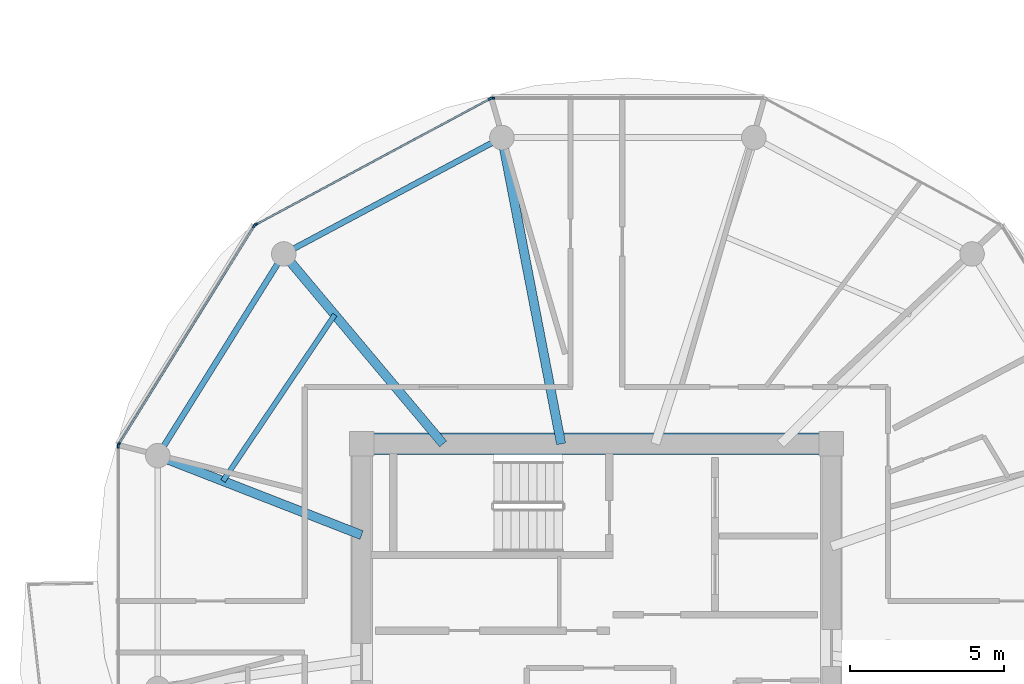
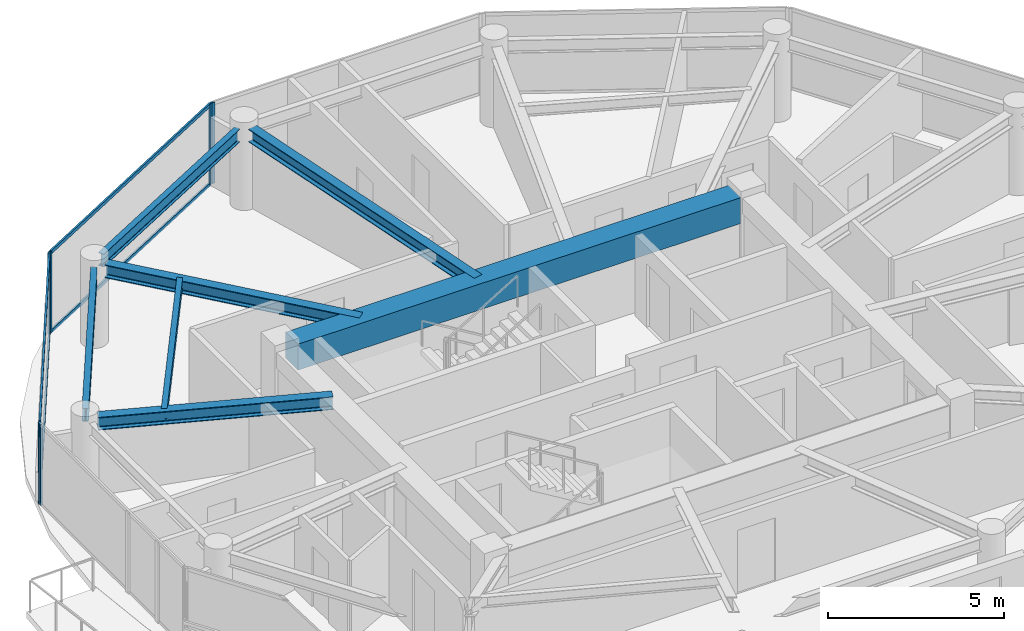
# One storey, part 4 of 22: 10 members, 7 beams, 4 elements without a shape of their own.
"""IFC4 building model written with IfcOpenShell, lengths in metres."""

import ifcopenshell
import ifcopenshell.guid

model = None  # the IFC model being written
_history = None  # IfcOwnerHistory: only IFC2X3 demands one
_inside = {}  # id of a spatial element -> (the spatial element, [elements in it])
_under = {}  # id of a project, library or spatial element -> (it, [spatial elements below it])
_declared = {}  # id of a project -> (the project, [libraries it declares])
_typed = {}  # id of a type object -> (the type object, [elements of that type])
_made_of = {}  # id of a material, layer set ... -> (it, [elements and type objects made of it])


def new_model(schema):
    """Start an empty IFC model of exactly this schema.

    Asked for "IFC4X3", IfcOpenShell would pick the latest addendum, in which some entities
    have other attributes; the version numbers below select the first issue.
    IFC2X3 requires an IfcOwnerHistory on every rooted entity: one is made here for all.
    """
    global model, _history
    if schema == "IFC4X3":
        model = ifcopenshell.file(schema_version=(4, 3, 0, 0))
    else:
        model = ifcopenshell.file(schema=schema)
    _inside.clear()
    _under.clear()
    _declared.clear()
    _typed.clear()
    _made_of.clear()
    _history = None
    if model.schema == "IFC2X3":
        org = make("IfcOrganization", Name="unknown")
        user = make(
            "IfcPersonAndOrganization",
            ThePerson=make("IfcPerson", FamilyName="unknown"),
            TheOrganization=org,
        )
        app = make(
            "IfcApplication",
            ApplicationDeveloper=org,
            Version="unknown",
            ApplicationFullName="unknown",
            ApplicationIdentifier="unknown",
        )
        _history = make(
            "IfcOwnerHistory",
            OwningUser=user,
            OwningApplication=app,
            ChangeAction="ADDED",
            CreationDate=0,
        )
    return model


def make(cls, **values):
    """One entity of the class cls with the attributes given. An attribute that is None is left unset."""
    return model.create_entity(
        cls, **{name: value for name, value in values.items() if value is not None}
    )


def rooted(cls, **values):
    """An entity with a GlobalId (a new one), such as an element, a storey or a relation."""
    return make(cls, GlobalId=ifcopenshell.guid.new(), OwnerHistory=_history, **values)


def si_unit(unit_type, name, prefix=None):
    """IfcSIUnit, for example si_unit("LENGTHUNIT", "METRE", prefix="MILLI")."""
    return make("IfcSIUnit", UnitType=unit_type, Prefix=prefix, Name=name)


def assignment(units):
    """IfcUnitAssignment: the units of a project."""
    return None if units is None else make("IfcUnitAssignment", Units=units)


def point(xyz):
    """IfcCartesianPoint."""
    return None if xyz is None else make("IfcCartesianPoint", Coordinates=xyz)


def direction(xyz):
    """IfcDirection."""
    return None if xyz is None else make("IfcDirection", DirectionRatios=xyz)


def frame(location, z_axis=None, x_axis=None):
    """IfcAxis2Placement3D, a coordinate frame: its origin and axes. An axis left out is left unset."""
    return make(
        "IfcAxis2Placement3D",
        Location=point(location),
        Axis=direction(z_axis),
        RefDirection=direction(x_axis),
    )


def frame_2d(location, x_axis=None):
    """IfcAxis2Placement2D, a coordinate frame in the plane: its origin and x axis."""
    return make(
        "IfcAxis2Placement2D", Location=point(location), RefDirection=direction(x_axis)
    )


def origin():
    """The frame at (0, 0, 0) with its axes left unset."""
    return frame((0.0, 0.0, 0.0))


def origin_2d():
    """The frame at (0, 0) in the plane with its x axis left unset."""
    return frame_2d((0.0, 0.0))


def place(relative_to, where):
    """IfcLocalPlacement: puts the frame where relative to a parent placement (None: the world)."""
    return make(
        "IfcLocalPlacement", PlacementRelTo=relative_to, RelativePlacement=where
    )


def context(
    kind, dimensions, precision=None, world=None, true_north=None, identifier=None
):
    """IfcGeometricRepresentationContext, for example the 3D "Model" context."""
    return make(
        "IfcGeometricRepresentationContext",
        ContextIdentifier=identifier,
        ContextType=kind,
        CoordinateSpaceDimension=dimensions,
        Precision=precision,
        WorldCoordinateSystem=world,
        TrueNorth=true_north,
    )


def subcontext(parent, identifier, kind, view, scale=None):
    """IfcGeometricRepresentationSubContext, for example "Body" below "Model"."""
    return make(
        "IfcGeometricRepresentationSubContext",
        ContextIdentifier=identifier,
        ContextType=kind,
        ParentContext=parent,
        TargetScale=scale,
        TargetView=view,
    )


def project(units=None, contexts=None):
    """IfcProject with its units and contexts."""
    return rooted(
        "IfcProject",
        Name="project",
        RepresentationContexts=contexts,
        UnitsInContext=assignment(units),
    )


def spatial(cls, under=None, at=None, **own):
    """A site, building, storey or space (cls), placed at a placement, below another one or the project."""
    s = rooted(cls, ObjectPlacement=at, **own)
    if under is not None:
        _under.setdefault(under.id(), (under, []))[1].append(s)
    return s


def profile(cls, at=None, kind="AREA", **sizes):
    """A parametric profile (cls). Its sizes go by their IFC names, for example OverallWidth=200.0."""
    return make(cls, ProfileType=kind, Position=at, **sizes)


def rectangle(**sizes):
    """IfcRectangleProfileDef."""
    return profile("IfcRectangleProfileDef", **sizes)


def i_section(**sizes):
    """IfcIShapeProfileDef."""
    return profile("IfcIShapeProfileDef", **sizes)


def extrude(swept, where, along, depth):
    """IfcExtrudedAreaSolid: the profile swept, set in the frame where, extruded along a direction by depth."""
    return make(
        "IfcExtrudedAreaSolid",
        SweptArea=swept,
        Position=where,
        ExtrudedDirection=direction(along),
        Depth=depth,
    )


def shape(context_of_items, identifier, shape_type, items):
    """IfcShapeRepresentation: the items that make up one representation, for example the "Body"."""
    return make(
        "IfcShapeRepresentation",
        ContextOfItems=context_of_items,
        RepresentationIdentifier=identifier,
        RepresentationType=shape_type,
        Items=items,
    )


def source(mapping_origin, context_of_items, identifier, shape_type, items):
    """IfcRepresentationMap: a shape defined once, which mapped items show again and again."""
    return make(
        "IfcRepresentationMap",
        MappingOrigin=mapping_origin,
        MappedRepresentation=shape(context_of_items, identifier, shape_type, items),
    )


def transform(
    local_origin,
    x_axis=None,
    y_axis=None,
    z_axis=None,
    scale=None,
    scale2=None,
    scale3=None,
    uniform=True,
):
    """IfcCartesianTransformationOperator3D, or its non-uniform kind. x_axis, y_axis, z_axis: its Axis1, 2, 3."""
    if uniform:
        return make(
            "IfcCartesianTransformationOperator3D",
            Axis1=direction(x_axis),
            Axis2=direction(y_axis),
            LocalOrigin=point(local_origin),
            Scale=scale,
            Axis3=direction(z_axis),
        )
    return make(
        "IfcCartesianTransformationOperator3DnonUniform",
        Axis1=direction(x_axis),
        Axis2=direction(y_axis),
        LocalOrigin=point(local_origin),
        Scale=scale,
        Axis3=direction(z_axis),
        Scale2=scale2,
        Scale3=scale3,
    )


def mapped(mapping_source, mapping_target):
    """IfcMappedItem: shows the shape of a source again, moved by a transform."""
    return make(
        "IfcMappedItem", MappingSource=mapping_source, MappingTarget=mapping_target
    )


def material(Name=None, Category=None):
    """IfcMaterial."""
    return make("IfcMaterial", Name=Name, Category=Category)


def layer(
    of_material, thickness, ventilated=None, Name=None, Category=None, Priority=None
):
    """IfcMaterialLayer: one layer of a wall or slab, of a material (None: an air gap)."""
    return make(
        "IfcMaterialLayer",
        Material=of_material,
        LayerThickness=thickness,
        IsVentilated=ventilated,
        Name=Name,
        Category=Category,
        Priority=Priority,
    )


def layer_set(layers, Name=None):
    """IfcMaterialLayerSet."""
    return make("IfcMaterialLayerSet", MaterialLayers=layers, LayerSetName=Name)


def material_profile(
    of_material, cross_section, Name=None, Category=None, Priority=None
):
    """IfcMaterialProfile: a cross section and its material."""
    return make(
        "IfcMaterialProfile",
        Name=Name,
        Material=of_material,
        Profile=cross_section,
        Priority=Priority,
        Category=Category,
    )


def profile_set(profiles, Name=None, composite=None):
    """IfcMaterialProfileSet."""
    return make(
        "IfcMaterialProfileSet",
        Name=Name,
        MaterialProfiles=profiles,
        CompositeProfile=composite,
    )


def made_of(thing, what):
    """Note that an element or type object is made of a material, layer set ...; save() writes the relation."""
    if what is not None:
        _made_of.setdefault(what.id(), (what, []))[1].append(thing)
    return thing


def type_object(cls, material=None, **own):
    """A type object (cls), such as IfcWallType, which elements share."""
    return made_of(rooted(cls, **own), material)


def type_shapes(of_type, sources):
    """Give a type object the sources (RepresentationMaps) that its elements show as mapped items."""
    of_type.RepresentationMaps = sources


def element(
    cls,
    number,
    at=None,
    inside=None,
    cuts=None,
    type_object=None,
    material=None,
    context=None,
    identifier="Body",
    shape_type=None,
    held_by="IfcProductDefinitionShape",
    body=None,
    shapes=None,
    **own,
):
    """One element of the class cls, such as IfcWall. Its Tag is "e" and its number.

    at: its placement. inside: the storey or other place that contains it. cuts: it is an
    opening in that element (IfcRelVoidsElement). A single representation is given by context,
    identifier, shape_type and body (its items); several are given by shapes. held_by: the class
    of the entity that holds the representations. save() writes the other relations.
    """
    e = rooted(cls, Tag="e%d" % number, ObjectPlacement=at, **own)
    if body is not None:
        shapes = [shape(context, identifier, shape_type, body)]
    if shapes is not None:
        e.Representation = make(held_by, Representations=shapes)
    if inside is not None:
        _inside.setdefault(inside.id(), (inside, []))[1].append(e)
    if cuts is not None:
        rooted(
            "IfcRelVoidsElement", RelatingBuildingElement=cuts, RelatedOpeningElement=e
        )
    if type_object is not None:
        _typed.setdefault(type_object.id(), (type_object, []))[1].append(e)
    return made_of(e, material)


def aggregate(whole, parts):
    """IfcRelAggregates: a whole, such as a stair, and the parts it consists of."""
    return rooted("IfcRelAggregates", RelatingObject=whole, RelatedObjects=parts)


def save(model, path):
    """Write the relations noted so far, then the file.

    IfcRelAggregates (storeys below a building ...), IfcRelContainedInSpatialStructure (elements
    in a storey), IfcRelDefinesByType, IfcRelAssociatesMaterial and IfcRelDeclares: one each for
    every whole, place, type object, material and project.
    """
    for whole, parts in _under.values():
        aggregate(whole, parts)
    for where, things in _inside.values():
        rooted(
            "IfcRelContainedInSpatialStructure",
            RelatedElements=things,
            RelatingStructure=where,
        )
    for kind, things in _typed.values():
        rooted("IfcRelDefinesByType", RelatedObjects=things, RelatingType=kind)
    for what, things in _made_of.values():
        rooted("IfcRelAssociatesMaterial", RelatedObjects=things, RelatingMaterial=what)
    for by, libraries in _declared.values():
        rooted("IfcRelDeclares", RelatingContext=by, RelatedDefinitions=libraries)
    model.write(path)


model = new_model("IFC4")

# Units and contexts
model_context = context("Model", 3, precision=1e-05, world=origin(), true_north=direction((0.0, 1.0)))
body_context = subcontext(model_context, "Body", "Model", "MODEL_VIEW")
ifc_project = project(units=[si_unit("LENGTHUNIT", "METRE"), si_unit("AREAUNIT", "SQUARE_METRE"), si_unit("VOLUMEUNIT", "CUBIC_METRE"), si_unit("PLANEANGLEUNIT", "RADIAN"), si_unit("MASSUNIT", "GRAM", prefix="KILO")], contexts=[model_context])

# Site, building, storey
site_placement = place(None, origin())
site = spatial("IfcSite", under=ifc_project, at=site_placement, CompositionType="ELEMENT")
building_placement = place(site_placement, origin())
building = spatial("IfcBuilding", under=site, at=building_placement, Name="Norrkilde Senior Care Towers", CompositionType="ELEMENT")
storey_placement = place(building_placement, frame((0.0, 0.0, 167.85009765625)))
storey = spatial("IfcBuildingStorey", under=building, at=storey_placement, Name="L52", CompositionType="ELEMENT", Elevation=167.85009765625)

# Beams
ifc_material_1 = material(Name="Concrete C60/75", Category="concrete")
ifc_material_profile_1 = material_profile(ifc_material_1, rectangle(XDim=0.699951171875, YDim=0.89990234375, at=origin_2d()), Name="RC BM 700x900")
ifc_profile_set_1 = profile_set([ifc_material_profile_1], Name="Concrete C60/75")
beam_type_1 = type_object("IfcBeamType", Name="Core Coupling Girder 700x900", PredefinedType="USERDEFINED", material=ifc_profile_set_1)
shared_shape_1 = source(origin(), body_context, "Body", "SweptSolid", [
    extrude(rectangle(XDim=0.699951171875, YDim=0.89990234375, at=origin_2d()), origin(), (0.0, 0.0, 1.0), 14.5400390625),
])
type_shapes(beam_type_1, [shared_shape_1])
beam_1_placement = place(storey_placement, frame((-35.27001953125, 5.949951171875, 2.35986328125), z_axis=(1.0, 0.0, 0.0), x_axis=(0.0, 1.0, 0.0)))
element("IfcBeam", 1, at=beam_1_placement, inside=storey, type_object=beam_type_1, Name="L52 Core W N Coupling Girder", ObjectType="GIRDER", PredefinedType="USERDEFINED", context=body_context, shape_type="MappedRepresentation", body=[
    mapped(shared_shape_1, transform((0.0, 0.0, 0.0), x_axis=(1.0, 0.0, 0.0), y_axis=(0.0, 1.0, 0.0), z_axis=(0.0, 0.0, 1.0), scale=1.0)),
])
ifc_material_2 = material(Name="Steel S355", Category="steel")
ifc_material_profile_2 = material_profile(ifc_material_2, i_section(OverallWidth=0.18994140625, OverallDepth=0.449951171875, WebThickness=0.009521484375, FlangeThickness=0.0146484375, FilletRadius=0.02099609375, at=origin_2d()), Name="IPE 450")
ifc_profile_set_2 = profile_set([ifc_material_profile_2], Name="Steel S355")
beam_type_2 = type_object("IfcBeamType", Name="Perimeter Ring Spandrel Z3 IPE450", PredefinedType="SPANDREL", material=ifc_profile_set_2)
shared_shape_2 = source(origin(), body_context, "Body", "SweptSolid", [
    extrude(i_section(OverallWidth=0.18994140625, OverallDepth=0.449951171875, WebThickness=0.009521484375, FlangeThickness=0.0146484375, FilletRadius=0.02099609375, at=origin_2d()), origin(), (0.0, 0.0, 1.0), 7.0234375),
])
beam_2_placement = place(storey_placement, frame((-38.373291015625, 11.8291015625, 2.5849609375), z_axis=(-0.529789577822, -0.848129119433, 0.0), x_axis=(0.848129119433, -0.529789577822, 0.0)))
element("IfcBeam", 2, at=beam_2_placement, inside=storey, type_object=beam_type_2, Name="L52 Drum W Perimeter Spandrel 05", PredefinedType="SPANDREL", context=body_context, shape_type="MappedRepresentation", body=[
    mapped(shared_shape_2, transform((0.0, 0.0, 0.0), x_axis=(1.0, 0.0, 0.0), y_axis=(0.0, 1.0, 0.0), z_axis=(0.0, 0.0, 1.0), scale=1.0)),
])
shared_shape_3 = source(origin(), body_context, "Body", "SweptSolid", [
    extrude(i_section(OverallWidth=0.18994140625, OverallDepth=0.449951171875, WebThickness=0.009521484375, FlangeThickness=0.0146484375, FilletRadius=0.02099609375, at=origin_2d()), origin(), (0.0, 0.0, 1.0), 7.333740234375),
])
type_shapes(beam_type_2, [shared_shape_2, shared_shape_3])
beam_3_placement = place(storey_placement, frame((-31.394775390625, 15.756591796875, 2.5849609375), z_axis=(-0.882247866069, -0.470785198172, 0.0), x_axis=(0.470785198172, -0.882247866069, 0.0)))
element("IfcBeam", 3, at=beam_3_placement, inside=storey, type_object=beam_type_2, Name="L52 Drum W Perimeter Spandrel 04", PredefinedType="SPANDREL", context=body_context, shape_type="MappedRepresentation", body=[
    mapped(shared_shape_3, transform((0.0, 0.0, 0.0), x_axis=(1.0, 0.0, 0.0), y_axis=(0.0, 1.0, 0.0), z_axis=(0.0, 0.0, 1.0), scale=1.0)),
])
ifc_material_profile_3 = material_profile(ifc_material_2, i_section(OverallWidth=0.300048828125, OverallDepth=0.449951171875, WebThickness=0.013916015625, FlangeThickness=0.02587890625, FilletRadius=0.027099609375, at=origin_2d()), Name="HEB 450")
ifc_profile_set_3 = profile_set([ifc_material_profile_3], Name="Steel S355")
beam_type_3 = type_object("IfcBeamType", Name="Radial Floor Beam Z3 HEB450", PredefinedType="BEAM", material=ifc_profile_set_3)
shared_shape_4 = source(origin(), body_context, "Body", "SweptSolid", [
    extrude(i_section(OverallWidth=0.300048828125, OverallDepth=0.449951171875, WebThickness=0.013916015625, FlangeThickness=0.02587890625, FilletRadius=0.027099609375, at=origin_2d()), origin(), (0.0, 0.0, 1.0), 9.80078125),
])
beam_4_placement = place(storey_placement, frame((-29.149658203125, 5.949951171875, 2.5849609375), z_axis=(-0.189716727661, 0.98183886827, 0.0), x_axis=(-0.98183886827, -0.189716727661, 0.0)))
element("IfcBeam", 4, at=beam_4_placement, inside=storey, type_object=beam_type_3, Name="L52 Drum W Radial Floor Beam 04", PredefinedType="BEAM", context=body_context, shape_type="MappedRepresentation", body=[
    mapped(shared_shape_4, transform((0.0, 0.0, 0.0), x_axis=(1.0, 0.0, 0.0), y_axis=(0.0, 1.0, 0.0), z_axis=(0.0, 0.0, 1.0), scale=1.0)),
])
shared_shape_5 = source(origin(), body_context, "Body", "SweptSolid", [
    extrude(i_section(OverallWidth=0.300048828125, OverallDepth=0.449951171875, WebThickness=0.013916015625, FlangeThickness=0.02587890625, FilletRadius=0.027099609375, at=origin_2d()), origin(), (0.0, 0.0, 1.0), 7.71337890625),
])
beam_5_placement = place(storey_placement, frame((-32.992919921875, 5.949951171875, 2.5849609375), z_axis=(-0.642808239864, 0.766027131872, 0.0), x_axis=(-0.766027131872, -0.642808239864, 0.0)))
element("IfcBeam", 5, at=beam_5_placement, inside=storey, type_object=beam_type_3, Name="L52 Drum W Radial Floor Beam 05", PredefinedType="BEAM", context=body_context, shape_type="MappedRepresentation", body=[
    mapped(shared_shape_5, transform((0.0, 0.0, 0.0), x_axis=(1.0, 0.0, 0.0), y_axis=(0.0, 1.0, 0.0), z_axis=(0.0, 0.0, 1.0), scale=1.0)),
])
shared_shape_6 = source(origin(), body_context, "Body", "SweptSolid", [
    extrude(i_section(OverallWidth=0.300048828125, OverallDepth=0.449951171875, WebThickness=0.013916015625, FlangeThickness=0.02587890625, FilletRadius=0.027099609375, at=origin_2d()), origin(), (0.0, 0.0, 1.0), 6.760986328125),
])
type_shapes(beam_type_3, [shared_shape_4, shared_shape_5, shared_shape_6])
beam_6_placement = place(storey_placement, frame((-35.64990234375, 2.981201171875, 2.5849609375), z_axis=(-0.931742171387, 0.363120539297, 0.0), x_axis=(-0.363120539297, -0.931742171387, 0.0)))
element("IfcBeam", 6, at=beam_6_placement, inside=storey, type_object=beam_type_3, Name="L52 Drum W Radial Floor Beam 06", PredefinedType="BEAM", context=body_context, shape_type="MappedRepresentation", body=[
    mapped(shared_shape_6, transform((0.0, 0.0, 0.0), x_axis=(1.0, 0.0, 0.0), y_axis=(0.0, 1.0, 0.0), z_axis=(0.0, 0.0, 1.0), scale=1.0)),
])
ifc_material_profile_4 = material_profile(ifc_material_2, i_section(OverallWidth=0.169921875, OverallDepth=0.360107421875, WebThickness=0.008056640625, FlangeThickness=0.0126953125, FilletRadius=0.01806640625, at=origin_2d()), Name="IPE 360")
ifc_profile_set_4 = profile_set([ifc_material_profile_4], Name="Steel S355")
beam_type_4 = type_object("IfcBeamType", Name="Secondary Floor Joist IPE360", PredefinedType="JOIST", material=ifc_profile_set_4)
shared_shape_7 = source(origin(), body_context, "Body", "SweptSolid", [
    extrude(i_section(OverallWidth=0.169921875, OverallDepth=0.360107421875, WebThickness=0.008056640625, FlangeThickness=0.0126953125, FilletRadius=0.01806640625, at=origin_2d()), origin(), (0.0, 0.0, 1.0), 6.525390625),
])
type_shapes(beam_type_4, [shared_shape_7])
beam_7_placement = place(storey_placement, frame((-36.52197265625, 10.155517578125, 2.6298828125), z_axis=(-0.55779590102, -0.829978152005, 0.0), x_axis=(0.829978152005, -0.55779590102, 0.0)))
element("IfcBeam", 7, at=beam_7_placement, inside=storey, type_object=beam_type_4, Name="L52 Drum W Secondary Floor Joist 2", PredefinedType="JOIST", context=body_context, shape_type="MappedRepresentation", body=[
    mapped(shared_shape_7, transform((0.0, 0.0, 0.0), x_axis=(1.0, 0.0, 0.0), y_axis=(0.0, 1.0, 0.0), z_axis=(0.0, 0.0, 1.0), scale=1.0)),
])

# Curtain wall, members
ifc_material_3 = material(Name="Triple Low-E Insulated Glazing", Category="glass")
ifc_layer = layer(ifc_material_3, 0.18994140625)
ifc_layer_set = layer_set([ifc_layer], Name="Triple Low-E Insulated Glazing")
curtain_wall_type = type_object("IfcCurtainWallType", Name="CW4 Zone 3 Senior Residence Curtain Wall", PredefinedType="NOTDEFINED", material=ifc_layer_set)
curtain_wall_1_placement = place(storey_placement, origin())
curtain_wall_1 = element("IfcCurtainWall", 8, at=curtain_wall_1_placement, inside=storey, type_object=curtain_wall_type, Name="L52 Drum W Curtain Wall 04", PredefinedType="NOTDEFINED")
ifc_material_4 = material(Name="Anodised Aluminium", Category="aluminium")
ifc_material_profile_5 = material_profile(ifc_material_4, rectangle(XDim=0.06005859375, YDim=0.1201171875, at=origin_2d()), Name="ALU TRAN 60x120")
ifc_profile_set_5 = profile_set([ifc_material_profile_5], Name="Anodised Aluminium")
member_type_1 = type_object("IfcMemberType", Name="Curtain Wall Transom Typical 60x120", PredefinedType="USERDEFINED", material=ifc_profile_set_5)
shared_shape_8 = source(origin(), body_context, "Body", "SweptSolid", [
    extrude(rectangle(XDim=0.06005859375, YDim=0.1201171875, at=origin_2d()), origin(), (0.0, 0.0, 1.0), 8.301513671875),
])
member_1_placement = place(storey_placement, frame((-43.535400390625, 5.966552734375, 0.02978515625), z_axis=(0.527368718394, 0.849636531029, 0.0), x_axis=(-0.849636531029, 0.527368718394, 0.0)))
member_1 = element("IfcMember", 9, at=member_1_placement, type_object=member_type_1, Name="CW-4 transom 1.1", ObjectType="TRANSOM", PredefinedType="USERDEFINED", context=body_context, shape_type="MappedRepresentation", body=[
    mapped(shared_shape_8, transform((0.0, 0.0, 0.0), x_axis=(1.0, 0.0, 0.0), y_axis=(0.0, 1.0, 0.0), z_axis=(0.0, 0.0, 1.0), scale=1.0)),
])
member_2_placement = place(storey_placement, frame((-43.535400390625, 5.966552734375, 2.77978515625), z_axis=(0.527368718394, 0.849636531029, 0.0), x_axis=(-0.849636531029, 0.527368718394, 0.0)))
member_2 = element("IfcMember", 10, at=member_2_placement, type_object=member_type_1, Name="CW-4 transom 1.2", ObjectType="TRANSOM", PredefinedType="USERDEFINED", context=body_context, shape_type="MappedRepresentation", body=[
    mapped(shared_shape_8, transform((0.0, 0.0, 0.0), x_axis=(1.0, 0.0, 0.0), y_axis=(0.0, 1.0, 0.0), z_axis=(0.0, 0.0, 1.0), scale=1.0)),
])

curtain_wall_2_placement = place(storey_placement, origin())
curtain_wall_2 = element("IfcCurtainWall", 11, at=curtain_wall_2_placement, inside=storey, type_object=curtain_wall_type, Name="L52 Drum W Curtain Wall 03", PredefinedType="NOTDEFINED")
shared_shape_9 = source(origin(), body_context, "Body", "SweptSolid", [
    extrude(rectangle(XDim=0.06005859375, YDim=0.1201171875, at=origin_2d()), origin(), (0.0, 0.0, 1.0), 8.612060546875),
])
type_shapes(member_type_1, [shared_shape_8, shared_shape_9])
member_3_placement = place(storey_placement, frame((-39.06591796875, 13.105712890625, 0.02978515625), z_axis=(0.881000337462, 0.473115636384, 0.0), x_axis=(-0.473115636384, 0.881000337462, 0.0)))
member_3 = element("IfcMember", 12, at=member_3_placement, type_object=member_type_1, Name="CW-4 transom 1.1", ObjectType="TRANSOM", PredefinedType="USERDEFINED", context=body_context, shape_type="MappedRepresentation", body=[
    mapped(shared_shape_9, transform((0.0, 0.0, 0.0), x_axis=(1.0, 0.0, 0.0), y_axis=(0.0, 1.0, 0.0), z_axis=(0.0, 0.0, 1.0), scale=1.0)),
])
member_4_placement = place(storey_placement, frame((-39.06591796875, 13.105712890625, 2.77978515625), z_axis=(0.881000337462, 0.473115636384, 0.0), x_axis=(-0.473115636384, 0.881000337462, 0.0)))
member_4 = element("IfcMember", 13, at=member_4_placement, type_object=member_type_1, Name="CW-4 transom 1.2", ObjectType="TRANSOM", PredefinedType="USERDEFINED", context=body_context, shape_type="MappedRepresentation", body=[
    mapped(shared_shape_9, transform((0.0, 0.0, 0.0), x_axis=(1.0, 0.0, 0.0), y_axis=(0.0, 1.0, 0.0), z_axis=(0.0, 0.0, 1.0), scale=1.0)),
])

# Curtain wall, member
curtain_wall_3_placement = place(storey_placement, origin())
curtain_wall_3 = element("IfcCurtainWall", 14, at=curtain_wall_3_placement, inside=storey, type_object=curtain_wall_type, Name="L52 Drum W Curtain Wall 02", PredefinedType="NOTDEFINED")
ifc_material_profile_6 = material_profile(ifc_material_4, rectangle(XDim=0.06494140625, YDim=0.14990234375, at=origin_2d()), Name="ALU MULL 65x150")
ifc_profile_set_6 = profile_set([ifc_material_profile_6], Name="Anodised Aluminium")
member_type_2 = type_object("IfcMemberType", Name="Curtain Wall Mullion Z3-Z4 65x150", PredefinedType="MULLION", material=ifc_profile_set_6)
shared_shape_10 = source(origin(), body_context, "Body", "SweptSolid", [
    extrude(rectangle(XDim=0.06494140625, YDim=0.14990234375, at=origin_2d()), origin(), (0.0, 0.0, 1.0), 2.809814453125),
])
type_shapes(member_type_2, [shared_shape_10])
member_5_placement = place(storey_placement, frame((-31.388916015625, 17.2109375, 0.0), z_axis=(0.0, 0.0, 1.0), x_axis=(0.0, 1.0, 0.0)))
member_5 = element("IfcMember", 15, at=member_5_placement, type_object=member_type_2, Name="CW-4 mullion 1", PredefinedType="MULLION", context=body_context, shape_type="MappedRepresentation", body=[
    mapped(shared_shape_10, transform((0.0, 0.0, 0.0), x_axis=(1.0, 0.0, 0.0), y_axis=(0.0, 1.0, 0.0), z_axis=(0.0, 0.0, 1.0), scale=1.0)),
])
aggregate(curtain_wall_3, [member_5])

# Member
member_6_placement = place(storey_placement, frame((-39.094482421875, 13.09033203125, 0.0), z_axis=(0.0, 0.0, 1.0), x_axis=(-0.47311715104, 0.880999524059, 0.0)))
member_6 = element("IfcMember", 16, at=member_6_placement, type_object=member_type_2, Name="CW-4 mullion 1", PredefinedType="MULLION", context=body_context, shape_type="MappedRepresentation", body=[
    mapped(shared_shape_10, transform((0.0, 0.0, 0.0), x_axis=(1.0, 0.0, 0.0), y_axis=(0.0, 1.0, 0.0), z_axis=(0.0, 0.0, 1.0), scale=1.0)),
])

member_7_placement = place(storey_placement, frame((-31.4501953125, 17.195556640625, 0.0), z_axis=(0.0, 0.0, 1.0), x_axis=(-0.47311715104, 0.880999524059, 0.0)))
member_7 = element("IfcMember", 17, at=member_7_placement, type_object=member_type_2, Name="CW-4 mullion 2", PredefinedType="MULLION", context=body_context, shape_type="MappedRepresentation", body=[
    mapped(shared_shape_10, transform((0.0, 0.0, 0.0), x_axis=(1.0, 0.0, 0.0), y_axis=(0.0, 1.0, 0.0), z_axis=(0.0, 0.0, 1.0), scale=1.0)),
])

aggregate(curtain_wall_2, [member_6, member_7, member_3, member_4])

member_8_placement = place(storey_placement, frame((-43.552490234375, 5.93896484375, 0.0), z_axis=(0.0, 0.0, 1.0), x_axis=(-0.84963405474, 0.52737270789, 0.0)))
member_8 = element("IfcMember", 18, at=member_8_placement, type_object=member_type_2, Name="CW-4 mullion 1", PredefinedType="MULLION", context=body_context, shape_type="MappedRepresentation", body=[
    mapped(shared_shape_10, transform((0.0, 0.0, 0.0), x_axis=(1.0, 0.0, 0.0), y_axis=(0.0, 1.0, 0.0), z_axis=(0.0, 0.0, 1.0), scale=1.0)),
])

member_9_placement = place(storey_placement, frame((-39.14013671875, 13.04736328125, 0.0), z_axis=(0.0, 0.0, 1.0), x_axis=(-0.84963405474, 0.52737270789, 0.0)))
member_9 = element("IfcMember", 19, at=member_9_placement, type_object=member_type_2, Name="CW-4 mullion 2", PredefinedType="MULLION", context=body_context, shape_type="MappedRepresentation", body=[
    mapped(shared_shape_10, transform((0.0, 0.0, 0.0), x_axis=(1.0, 0.0, 0.0), y_axis=(0.0, 1.0, 0.0), z_axis=(0.0, 0.0, 1.0), scale=1.0)),
])

aggregate(curtain_wall_1, [member_8, member_9, member_1, member_2])

# Curtain wall, member
curtain_wall_4_placement = place(storey_placement, origin())
curtain_wall_4 = element("IfcCurtainWall", 20, at=curtain_wall_4_placement, inside=storey, type_object=curtain_wall_type, Name="L52 Drum W Curtain Wall 05", PredefinedType="NOTDEFINED")
member_10_placement = place(storey_placement, frame((-43.569580078125, 5.878662109375, 0.0), z_axis=(0.0, 0.0, 1.0), x_axis=(-1.0, 0.0, 0.0)))
member_10 = element("IfcMember", 21, at=member_10_placement, type_object=member_type_2, Name="CW-4 mullion 2", PredefinedType="MULLION", context=body_context, shape_type="MappedRepresentation", body=[
    mapped(shared_shape_10, transform((0.0, 0.0, 0.0), x_axis=(1.0, 0.0, 0.0), y_axis=(0.0, 1.0, 0.0), z_axis=(0.0, 0.0, 1.0), scale=1.0)),
])
aggregate(curtain_wall_4, [member_10])

save(model, "model.ifc")
